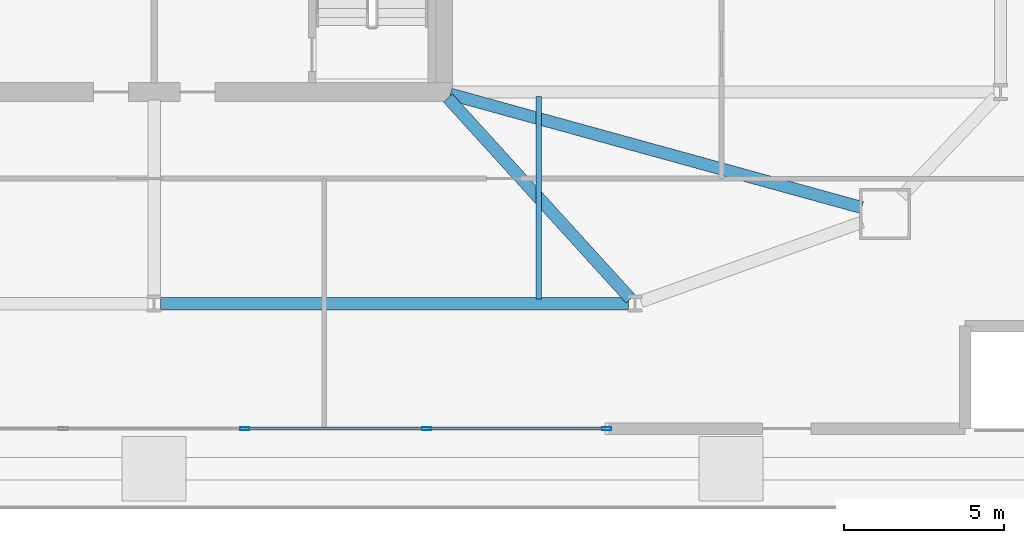
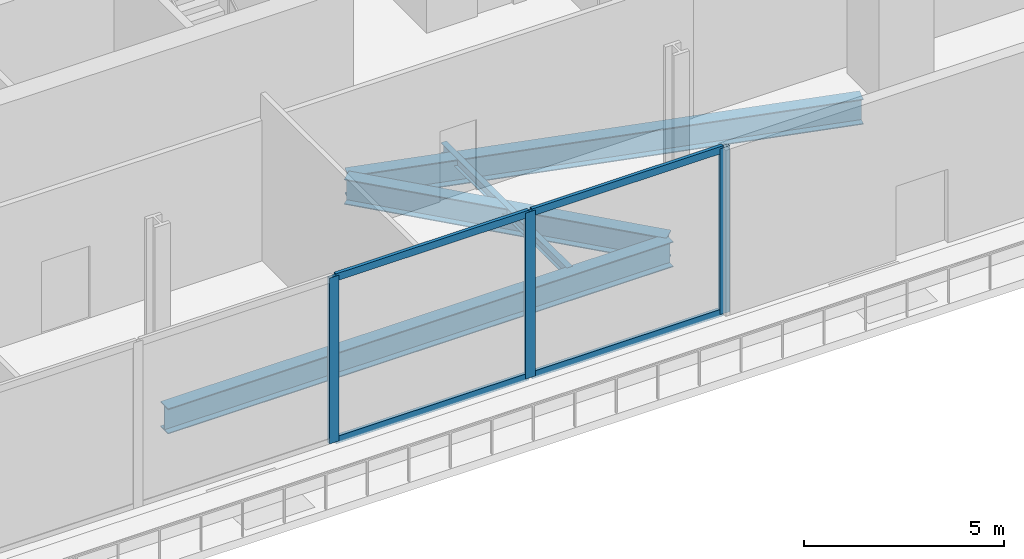
# One storey, part 5 of 20: 7 members, 4 beams, 1 element without a shape of its own.
"""IFC4 building model written with IfcOpenShell, lengths in metres."""

import ifcopenshell
import ifcopenshell.guid

model = None  # the IFC model being written
_history = None  # IfcOwnerHistory: only IFC2X3 demands one
_inside = {}  # id of a spatial element -> (the spatial element, [elements in it])
_under = {}  # id of a project, library or spatial element -> (it, [spatial elements below it])
_declared = {}  # id of a project -> (the project, [libraries it declares])
_typed = {}  # id of a type object -> (the type object, [elements of that type])
_made_of = {}  # id of a material, layer set ... -> (it, [elements and type objects made of it])


def new_model(schema):
    """Start an empty IFC model of exactly this schema.

    Asked for "IFC4X3", IfcOpenShell would pick the latest addendum, in which some entities
    have other attributes; the version numbers below select the first issue.
    IFC2X3 requires an IfcOwnerHistory on every rooted entity: one is made here for all.
    """
    global model, _history
    if schema == "IFC4X3":
        model = ifcopenshell.file(schema_version=(4, 3, 0, 0))
    else:
        model = ifcopenshell.file(schema=schema)
    _inside.clear()
    _under.clear()
    _declared.clear()
    _typed.clear()
    _made_of.clear()
    _history = None
    if model.schema == "IFC2X3":
        org = make("IfcOrganization", Name="unknown")
        user = make(
            "IfcPersonAndOrganization",
            ThePerson=make("IfcPerson", FamilyName="unknown"),
            TheOrganization=org,
        )
        app = make(
            "IfcApplication",
            ApplicationDeveloper=org,
            Version="unknown",
            ApplicationFullName="unknown",
            ApplicationIdentifier="unknown",
        )
        _history = make(
            "IfcOwnerHistory",
            OwningUser=user,
            OwningApplication=app,
            ChangeAction="ADDED",
            CreationDate=0,
        )
    return model


def make(cls, **values):
    """One entity of the class cls with the attributes given. An attribute that is None is left unset."""
    return model.create_entity(
        cls, **{name: value for name, value in values.items() if value is not None}
    )


def rooted(cls, **values):
    """An entity with a GlobalId (a new one), such as an element, a storey or a relation."""
    return make(cls, GlobalId=ifcopenshell.guid.new(), OwnerHistory=_history, **values)


def si_unit(unit_type, name, prefix=None):
    """IfcSIUnit, for example si_unit("LENGTHUNIT", "METRE", prefix="MILLI")."""
    return make("IfcSIUnit", UnitType=unit_type, Prefix=prefix, Name=name)


def assignment(units):
    """IfcUnitAssignment: the units of a project."""
    return None if units is None else make("IfcUnitAssignment", Units=units)


def point(xyz):
    """IfcCartesianPoint."""
    return None if xyz is None else make("IfcCartesianPoint", Coordinates=xyz)


def direction(xyz):
    """IfcDirection."""
    return None if xyz is None else make("IfcDirection", DirectionRatios=xyz)


def frame(location, z_axis=None, x_axis=None):
    """IfcAxis2Placement3D, a coordinate frame: its origin and axes. An axis left out is left unset."""
    return make(
        "IfcAxis2Placement3D",
        Location=point(location),
        Axis=direction(z_axis),
        RefDirection=direction(x_axis),
    )


def frame_2d(location, x_axis=None):
    """IfcAxis2Placement2D, a coordinate frame in the plane: its origin and x axis."""
    return make(
        "IfcAxis2Placement2D", Location=point(location), RefDirection=direction(x_axis)
    )


def origin():
    """The frame at (0, 0, 0) with its axes left unset."""
    return frame((0.0, 0.0, 0.0))


def origin_2d():
    """The frame at (0, 0) in the plane with its x axis left unset."""
    return frame_2d((0.0, 0.0))


def place(relative_to, where):
    """IfcLocalPlacement: puts the frame where relative to a parent placement (None: the world)."""
    return make(
        "IfcLocalPlacement", PlacementRelTo=relative_to, RelativePlacement=where
    )


def context(
    kind, dimensions, precision=None, world=None, true_north=None, identifier=None
):
    """IfcGeometricRepresentationContext, for example the 3D "Model" context."""
    return make(
        "IfcGeometricRepresentationContext",
        ContextIdentifier=identifier,
        ContextType=kind,
        CoordinateSpaceDimension=dimensions,
        Precision=precision,
        WorldCoordinateSystem=world,
        TrueNorth=true_north,
    )


def subcontext(parent, identifier, kind, view, scale=None):
    """IfcGeometricRepresentationSubContext, for example "Body" below "Model"."""
    return make(
        "IfcGeometricRepresentationSubContext",
        ContextIdentifier=identifier,
        ContextType=kind,
        ParentContext=parent,
        TargetScale=scale,
        TargetView=view,
    )


def project(units=None, contexts=None):
    """IfcProject with its units and contexts."""
    return rooted(
        "IfcProject",
        Name="project",
        RepresentationContexts=contexts,
        UnitsInContext=assignment(units),
    )


def spatial(cls, under=None, at=None, **own):
    """A site, building, storey or space (cls), placed at a placement, below another one or the project."""
    s = rooted(cls, ObjectPlacement=at, **own)
    if under is not None:
        _under.setdefault(under.id(), (under, []))[1].append(s)
    return s


def profile(cls, at=None, kind="AREA", **sizes):
    """A parametric profile (cls). Its sizes go by their IFC names, for example OverallWidth=200.0."""
    return make(cls, ProfileType=kind, Position=at, **sizes)


def hollow_rectangle(**sizes):
    """IfcRectangleHollowProfileDef."""
    return profile("IfcRectangleHollowProfileDef", **sizes)


def i_section(**sizes):
    """IfcIShapeProfileDef."""
    return profile("IfcIShapeProfileDef", **sizes)


def extrude(swept, where, along, depth):
    """IfcExtrudedAreaSolid: the profile swept, set in the frame where, extruded along a direction by depth."""
    return make(
        "IfcExtrudedAreaSolid",
        SweptArea=swept,
        Position=where,
        ExtrudedDirection=direction(along),
        Depth=depth,
    )


def shape(context_of_items, identifier, shape_type, items):
    """IfcShapeRepresentation: the items that make up one representation, for example the "Body"."""
    return make(
        "IfcShapeRepresentation",
        ContextOfItems=context_of_items,
        RepresentationIdentifier=identifier,
        RepresentationType=shape_type,
        Items=items,
    )


def material(Name=None, Category=None):
    """IfcMaterial."""
    return make("IfcMaterial", Name=Name, Category=Category)


def material_profile(
    of_material, cross_section, Name=None, Category=None, Priority=None
):
    """IfcMaterialProfile: a cross section and its material."""
    return make(
        "IfcMaterialProfile",
        Name=Name,
        Material=of_material,
        Profile=cross_section,
        Priority=Priority,
        Category=Category,
    )


def profile_set(profiles, Name=None, composite=None):
    """IfcMaterialProfileSet."""
    return make(
        "IfcMaterialProfileSet",
        Name=Name,
        MaterialProfiles=profiles,
        CompositeProfile=composite,
    )


def made_of(thing, what):
    """Note that an element or type object is made of a material, layer set ...; save() writes the relation."""
    if what is not None:
        _made_of.setdefault(what.id(), (what, []))[1].append(thing)
    return thing


def type_object(cls, material=None, **own):
    """A type object (cls), such as IfcWallType, which elements share."""
    return made_of(rooted(cls, **own), material)


def element(
    cls,
    number,
    at=None,
    inside=None,
    cuts=None,
    type_object=None,
    material=None,
    context=None,
    identifier="Body",
    shape_type=None,
    held_by="IfcProductDefinitionShape",
    body=None,
    shapes=None,
    **own,
):
    """One element of the class cls, such as IfcWall. Its Tag is "e" and its number.

    at: its placement. inside: the storey or other place that contains it. cuts: it is an
    opening in that element (IfcRelVoidsElement). A single representation is given by context,
    identifier, shape_type and body (its items); several are given by shapes. held_by: the class
    of the entity that holds the representations. save() writes the other relations.
    """
    e = rooted(cls, Tag="e%d" % number, ObjectPlacement=at, **own)
    if body is not None:
        shapes = [shape(context, identifier, shape_type, body)]
    if shapes is not None:
        e.Representation = make(held_by, Representations=shapes)
    if inside is not None:
        _inside.setdefault(inside.id(), (inside, []))[1].append(e)
    if cuts is not None:
        rooted(
            "IfcRelVoidsElement", RelatingBuildingElement=cuts, RelatedOpeningElement=e
        )
    if type_object is not None:
        _typed.setdefault(type_object.id(), (type_object, []))[1].append(e)
    return made_of(e, material)


def aggregate(whole, parts):
    """IfcRelAggregates: a whole, such as a stair, and the parts it consists of."""
    return rooted("IfcRelAggregates", RelatingObject=whole, RelatedObjects=parts)


def save(model, path):
    """Write the relations noted so far, then the file.

    IfcRelAggregates (storeys below a building ...), IfcRelContainedInSpatialStructure (elements
    in a storey), IfcRelDefinesByType, IfcRelAssociatesMaterial and IfcRelDeclares: one each for
    every whole, place, type object, material and project.
    """
    for whole, parts in _under.values():
        aggregate(whole, parts)
    for where, things in _inside.values():
        rooted(
            "IfcRelContainedInSpatialStructure",
            RelatedElements=things,
            RelatingStructure=where,
        )
    for kind, things in _typed.values():
        rooted("IfcRelDefinesByType", RelatedObjects=things, RelatingType=kind)
    for what, things in _made_of.values():
        rooted("IfcRelAssociatesMaterial", RelatedObjects=things, RelatingMaterial=what)
    for by, libraries in _declared.values():
        rooted("IfcRelDeclares", RelatingContext=by, RelatedDefinitions=libraries)
    model.write(path)


model = new_model("IFC4")

# Units and contexts
model_context = context("Model", 3, precision=1e-05, world=origin(), true_north=direction((0.0, 1.0)))
body_context = subcontext(model_context, "Body", "Model", "MODEL_VIEW")
ifc_project = project(units=[si_unit("LENGTHUNIT", "METRE"), si_unit("AREAUNIT", "SQUARE_METRE"), si_unit("VOLUMEUNIT", "CUBIC_METRE"), si_unit("PLANEANGLEUNIT", "RADIAN"), si_unit("MASSUNIT", "GRAM", prefix="KILO")], contexts=[model_context])

# Site, building, storey
site_placement = place(None, origin())
site = spatial("IfcSite", under=ifc_project, at=site_placement, CompositionType="ELEMENT")
building_placement = place(site_placement, origin())
building = spatial("IfcBuilding", under=site, at=building_placement, Name="Haldenkirk Collegiate Tower", CompositionType="ELEMENT")
storey_placement = place(building_placement, frame((0.0, 0.0, 11.39990234375)))
storey = spatial("IfcBuildingStorey", under=building, at=storey_placement, Name="L02", CompositionType="ELEMENT", Elevation=11.39990234375)

# Beams
ifc_material_1 = material(Name="Steel ASTM A992 Grade 50", Category="steel")
ifc_material_profile_1 = material_profile(ifc_material_1, i_section(OverallWidth=0.381103515625, OverallDepth=0.77294921875, WebThickness=0.0166015625, FlangeThickness=0.027099609375, at=origin_2d()), Name="W30X173")
ifc_profile_set_1 = profile_set([ifc_material_profile_1], Name="Steel ASTM A992 Grade 50")
beam_type_1 = type_object("IfcBeamType", Name="BM-GIRDER-W30X173", PredefinedType="BEAM", material=ifc_profile_set_1)
beam_1_placement = place(storey_placement, frame((36.199951171875, 11.39990234375, -0.71630859375), z_axis=(1.0, 0.0, 0.0), x_axis=(0.0, 1.0, 0.0)))
element("IfcBeam", 1, at=beam_1_placement, inside=storey, type_object=beam_type_1, Name="L02 podium ring girder 03", PredefinedType="BEAM", context=body_context, shape_type="SweptSolid", body=[
    extrude(i_section(OverallWidth=0.381103515625, OverallDepth=0.77294921875, WebThickness=0.0166015625, FlangeThickness=0.027099609375, at=origin_2d()), origin(), (0.0, 0.0, 1.0), 14.60009765625),
])
beam_2_placement = place(storey_placement, frame((50.865478515625, 11.548095703125, -0.71630859375), z_axis=(-0.672681402593, 0.739932247307, 0.0), x_axis=(-0.739932247307, -0.672681402593, 0.0)))
element("IfcBeam", 2, at=beam_2_placement, inside=storey, type_object=beam_type_1, Name="L02 podium radial girder 08", PredefinedType="BEAM", context=body_context, shape_type="SweptSolid", body=[
    extrude(i_section(OverallWidth=0.381103515625, OverallDepth=0.77294921875, WebThickness=0.0166015625, FlangeThickness=0.027099609375, at=origin_2d()), origin(), (0.0, 0.0, 1.0), 8.469482421875),
])
beam_3_placement = place(storey_placement, frame((58.076904296875, 14.399169921875, -0.71630859375), z_axis=(-0.964118138457, 0.265473567606, 0.0), x_axis=(-0.265473567606, -0.964118138457, 0.0)))
element("IfcBeam", 3, at=beam_3_placement, inside=storey, type_object=beam_type_1, Name="L02 podium radial girder 12", PredefinedType="BEAM", context=body_context, shape_type="SweptSolid", body=[
    extrude(i_section(OverallWidth=0.381103515625, OverallDepth=0.77294921875, WebThickness=0.0166015625, FlangeThickness=0.027099609375, at=origin_2d()), origin(), (0.0, 0.0, 1.0), 13.313720703125),
])
ifc_material_profile_2 = material_profile(ifc_material_1, i_section(OverallWidth=0.1650390625, OverallDepth=0.31005859375, WebThickness=0.005859375, FlangeThickness=0.009765625, at=origin_2d()), Name="W12X26")
ifc_profile_set_2 = profile_set([ifc_material_profile_2], Name="Steel ASTM A992 Grade 50")
beam_type_2 = type_object("IfcBeamType", Name="BM-JOIST-W12X26", PredefinedType="JOIST", material=ifc_profile_set_2)
beam_4_placement = place(storey_placement, frame((48.0, 11.5400390625, -0.48486328125), z_axis=(0.0, 1.0, 0.0), x_axis=(-1.0, 0.0, 0.0)))
element("IfcBeam", 4, at=beam_4_placement, inside=storey, type_object=beam_type_2, Name="L02 south bay floor joist 2", PredefinedType="JOIST", context=body_context, shape_type="SweptSolid", body=[
    extrude(i_section(OverallWidth=0.1650390625, OverallDepth=0.31005859375, WebThickness=0.005859375, FlangeThickness=0.009765625, at=origin_2d()), origin(), (0.0, 0.0, 1.0), 6.320068359375),
])

# Curtain wall, members
ifc_material_2 = material(Name="Anodised architectural bronze aluminium", Category="aluminium")
curtain_wall_type = type_object("IfcCurtainWallType", Name="CW-SYS3-PODIUM", PredefinedType="USERDEFINED", material=ifc_material_2)
curtain_wall_placement = place(storey_placement, origin())
curtain_wall = element("IfcCurtainWall", 5, at=curtain_wall_placement, inside=storey, type_object=curtain_wall_type, Name="L02 Podium campus concourse and library storefront curtain wall", ObjectType="UNITISED CURTAIN WALL", PredefinedType="USERDEFINED")
ifc_material_profile_3 = material_profile(ifc_material_2, hollow_rectangle(XDim=0.094970703125, YDim=0.280029296875, WallThickness=0.0048828125, at=origin_2d()), Name="CW-MUL-03")
ifc_profile_set_3 = profile_set([ifc_material_profile_3], Name="Anodised architectural bronze aluminium")
member_type_1 = type_object("IfcMemberType", Name="CW-MUL-03", PredefinedType="MULLION", material=ifc_profile_set_3)
member_1_placement = place(storey_placement, frame((50.12060546875, 7.5, 0.0), z_axis=(0.0, 0.0, 1.0), x_axis=(0.0, -1.0, 0.0)))
member_1 = element("IfcMember", 6, at=member_1_placement, type_object=member_type_1, Name="CW-03 mullion 1", PredefinedType="MULLION", context=body_context, shape_type="SweptSolid", body=[
    extrude(hollow_rectangle(XDim=0.094970703125, YDim=0.280029296875, WallThickness=0.0048828125, at=origin_2d()), origin(), (0.0, 0.0, 1.0), 5.070068359375),
])
member_2_placement = place(storey_placement, frame((44.500732421875, 7.5, 0.0), z_axis=(0.0, 0.0, 1.0), x_axis=(0.0, -1.0, 0.0)))
member_2 = element("IfcMember", 7, at=member_2_placement, type_object=member_type_1, Name="CW-03 mullion 2", PredefinedType="MULLION", context=body_context, shape_type="SweptSolid", body=[
    extrude(hollow_rectangle(XDim=0.094970703125, YDim=0.280029296875, WallThickness=0.0048828125, at=origin_2d()), origin(), (0.0, 0.0, 1.0), 5.070068359375),
])
member_3_placement = place(storey_placement, frame((38.83349609375, 7.5, 0.0), z_axis=(0.0, 0.0, 1.0), x_axis=(0.0, -1.0, 0.0)))
member_3 = element("IfcMember", 8, at=member_3_placement, type_object=member_type_1, Name="CW-03 mullion 3", PredefinedType="MULLION", context=body_context, shape_type="SweptSolid", body=[
    extrude(hollow_rectangle(XDim=0.094970703125, YDim=0.280029296875, WallThickness=0.0048828125, at=origin_2d()), origin(), (0.0, 0.0, 1.0), 5.070068359375),
])
ifc_material_profile_4 = material_profile(ifc_material_2, hollow_rectangle(XDim=0.094970703125, YDim=0.219970703125, WallThickness=0.0048828125, at=origin_2d()), Name="CW-TRN-03")
ifc_profile_set_4 = profile_set([ifc_material_profile_4], Name="Anodised architectural bronze aluminium")
member_type_2 = type_object("IfcMemberType", Name="CW-TRN-03", PredefinedType="USERDEFINED", material=ifc_profile_set_4)
member_4_placement = place(storey_placement, frame((50.072998046875, 7.5, 0.047607421875), z_axis=(-1.0, 0.0, 0.0), x_axis=(0.0, -1.0, 0.0)))
member_4 = element("IfcMember", 9, at=member_4_placement, type_object=member_type_2, Name="CW-03 transom 1.1", ObjectType="TRANSOM", PredefinedType="USERDEFINED", context=body_context, shape_type="SweptSolid", body=[
    extrude(hollow_rectangle(XDim=0.094970703125, YDim=0.219970703125, WallThickness=0.0048828125, at=origin_2d()), origin(), (0.0, 0.0, 1.0), 5.524658203125),
])
member_5_placement = place(storey_placement, frame((50.072998046875, 7.5, 5.022705078125), z_axis=(-1.0, 0.0, 0.0), x_axis=(0.0, -1.0, 0.0)))
member_5 = element("IfcMember", 10, at=member_5_placement, type_object=member_type_2, Name="CW-03 transom 1.2", ObjectType="TRANSOM", PredefinedType="USERDEFINED", context=body_context, shape_type="SweptSolid", body=[
    extrude(hollow_rectangle(XDim=0.094970703125, YDim=0.219970703125, WallThickness=0.0048828125, at=origin_2d()), origin(), (0.0, 0.0, 1.0), 5.524658203125),
])
member_6_placement = place(storey_placement, frame((44.453369140625, 7.5, 0.047607421875), z_axis=(-1.0, 0.0, 0.0), x_axis=(0.0, -1.0, 0.0)))
member_6 = element("IfcMember", 11, at=member_6_placement, type_object=member_type_2, Name="CW-03 transom 2.1", ObjectType="TRANSOM", PredefinedType="USERDEFINED", context=body_context, shape_type="SweptSolid", body=[
    extrude(hollow_rectangle(XDim=0.094970703125, YDim=0.219970703125, WallThickness=0.0048828125, at=origin_2d()), origin(), (0.0, 0.0, 1.0), 5.572265625),
])
member_7_placement = place(storey_placement, frame((44.453369140625, 7.5, 5.022705078125), z_axis=(-1.0, 0.0, 0.0), x_axis=(0.0, -1.0, 0.0)))
member_7 = element("IfcMember", 12, at=member_7_placement, type_object=member_type_2, Name="CW-03 transom 2.2", ObjectType="TRANSOM", PredefinedType="USERDEFINED", context=body_context, shape_type="SweptSolid", body=[
    extrude(hollow_rectangle(XDim=0.094970703125, YDim=0.219970703125, WallThickness=0.0048828125, at=origin_2d()), origin(), (0.0, 0.0, 1.0), 5.572265625),
])
aggregate(curtain_wall, [member_1, member_2, member_3, member_4, member_5, member_6, member_7])

save(model, "model.ifc")
